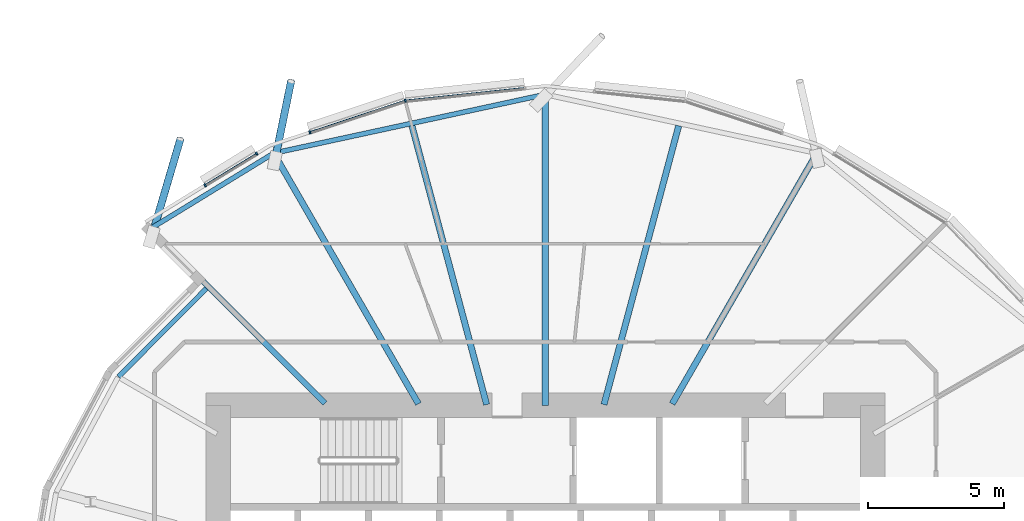
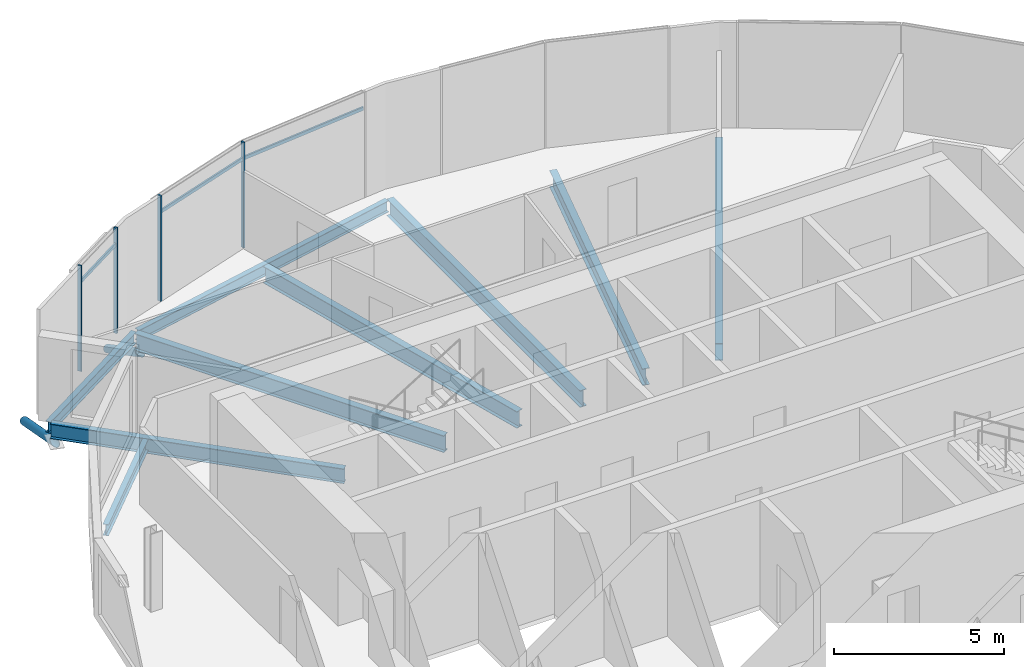
# One storey, part 10 of 36: 9 beams, 9 members, 1 element without a shape of its own.
"""IFC4 building model written with IfcOpenShell, lengths in metres."""

from ifc_helpers import new_model, si_unit, direction, frame, origin, origin_2d, place, context, subcontext, project, spatial, rectangle, hollow_circle, i_section, extrude, clip, halfspace, material, material_profile, profile_set, type_object, element, aggregate, save


model = new_model("IFC4")

# Units and contexts
model_context = context("Model", 3, precision=1e-05, world=origin(), true_north=direction((0.0, 1.0)))
body_context = subcontext(model_context, "Body", "Model", "MODEL_VIEW")
ifc_project = project(units=[si_unit("LENGTHUNIT", "METRE"), si_unit("AREAUNIT", "SQUARE_METRE"), si_unit("VOLUMEUNIT", "CUBIC_METRE"), si_unit("PLANEANGLEUNIT", "RADIAN"), si_unit("MASSUNIT", "GRAM", prefix="KILO")], contexts=[model_context])

# Site, building, storey
site_placement = place(None, origin())
site = spatial("IfcSite", under=ifc_project, at=site_placement, CompositionType="ELEMENT")
building_placement = place(site_placement, origin())
building = spatial("IfcBuilding", under=site, at=building_placement, Name="Rimbun Link Towers", CompositionType="ELEMENT")
storey_placement = place(building_placement, frame((0.0, 0.0, 37.60009765625)))
storey = spatial("IfcBuildingStorey", under=building, at=storey_placement, Name="L08", CompositionType="ELEMENT", Elevation=37.60009765625)

# Curtain wall, members
ifc_material_1 = material(Name="Aluminium 6063-T6 and low-iron glass", Category="aluminium")
curtain_wall_type = type_object("IfcCurtainWallType", Name="CW1 unitised vision wall", PredefinedType="NOTDEFINED", material=ifc_material_1)
curtain_wall_placement = place(storey_placement, origin())
curtain_wall = element("IfcCurtainWall", 1, at=curtain_wall_placement, inside=storey, type_object=curtain_wall_type, Name="CW1 L08 T1", PredefinedType="NOTDEFINED")
ifc_material_2 = material(Name="Aluminium 6063-T6", Category="aluminium")
ifc_material_profile_1 = material_profile(ifc_material_2, rectangle(XDim=0.1201171875, YDim=0.06005859375, at=origin_2d()), Name="MULLION 60X120")
ifc_profile_set_1 = profile_set([ifc_material_profile_1], Name="Aluminium 6063-T6")
member_type_1 = type_object("IfcMemberType", Name="CW1 mullion 60X120", PredefinedType="MULLION", material=ifc_profile_set_1)
member_1_placement = place(storey_placement, frame((-36.884521484375, 19.17333984375, 0.0), z_axis=(0.0, 0.0, 1.0), x_axis=(-0.210876994137, 0.97751260521, 0.0)))
member_1 = element("IfcMember", 2, at=member_1_placement, type_object=member_type_1, Name="CW1 mullion", PredefinedType="MULLION", context=body_context, shape_type="SweptSolid", body=[
    extrude(rectangle(XDim=0.1201171875, YDim=0.06005859375, at=origin_2d()), origin(), (0.0, 0.0, 1.0), 3.7998046875),
])
member_2_placement = place(storey_placement, frame((-40.383544921875, 18.01416015625, 0.0), z_axis=(0.0, 0.0, 1.0), x_axis=(-0.314563730837, 0.949236355837, 0.0)))
member_2 = element("IfcMember", 3, at=member_2_placement, type_object=member_type_1, Name="CW1 mullion", PredefinedType="MULLION", context=body_context, shape_type="SweptSolid", body=[
    extrude(rectangle(XDim=0.1201171875, YDim=0.06005859375, at=origin_2d()), origin(), (0.0, 0.0, 1.0), 3.7998046875),
])
member_3_placement = place(storey_placement, frame((-44.2265625, 16.072265625, 0.0), z_axis=(0.0, 0.0, 1.0), x_axis=(-0.523232417417, 0.85219002421, 0.0)))
member_3 = element("IfcMember", 4, at=member_3_placement, type_object=member_type_1, Name="CW1 mullion", PredefinedType="MULLION", context=body_context, shape_type="SweptSolid", body=[
    extrude(rectangle(XDim=0.1201171875, YDim=0.06005859375, at=origin_2d()), origin(), (0.0, 0.0, 1.0), 3.7998046875),
])
member_4_placement = place(storey_placement, frame((-42.336181640625, 17.23291015625, 0.0), z_axis=(0.0, 0.0, 1.0), x_axis=(-0.523232417417, 0.85219002421, 0.0)))
member_4 = element("IfcMember", 5, at=member_4_placement, type_object=member_type_1, Name="CW1 mullion", PredefinedType="MULLION", context=body_context, shape_type="SweptSolid", body=[
    extrude(rectangle(XDim=0.1201171875, YDim=0.06005859375, at=origin_2d()), origin(), (0.0, 0.0, 1.0), 3.7998046875),
])
ifc_material_3 = material(Name="Aluminium 6063-T6", Category="aluminium")
ifc_material_profile_2 = material_profile(ifc_material_3, rectangle(XDim=0.06005859375, YDim=0.1201171875, at=origin_2d()), Name="TRANSOM 60X120")
ifc_profile_set_2 = profile_set([ifc_material_profile_2], Name="Aluminium 6063-T6")
member_type_2 = type_object("IfcMemberType", Name="CW1 transom 60X120", PredefinedType="USERDEFINED", material=ifc_profile_set_2)
member_5_placement = place(storey_placement, frame((-36.84814453125, 19.175537109375, 3.199951171875), z_axis=(0.99449990358, 0.104737489845, 0.0), x_axis=(-0.104737489845, 0.99449990358, 0.0)))
member_5 = element("IfcMember", 6, at=member_5_placement, type_object=member_type_2, Name="CW1 transom", ObjectType="TRANSOM", PredefinedType="USERDEFINED", context=body_context, shape_type="SweptSolid", body=[
    extrude(rectangle(XDim=0.06005859375, YDim=0.1201171875, at=origin_2d()), origin(), (0.0, 0.0, 1.0), 4.34033203125),
])
member_6_placement = place(storey_placement, frame((-40.3544921875, 18.021728515625, 3.199951171875), z_axis=(0.949234904312, 0.314568110964, 0.0), x_axis=(-0.314568110964, 0.949234904312, 0.0)))
member_6 = element("IfcMember", 7, at=member_6_placement, type_object=member_type_2, Name="CW1 transom", ObjectType="TRANSOM", PredefinedType="USERDEFINED", context=body_context, shape_type="SweptSolid", body=[
    extrude(rectangle(XDim=0.06005859375, YDim=0.1201171875, at=origin_2d()), origin(), (0.0, 0.0, 1.0), 3.619873046875),
])
member_7_placement = place(storey_placement, frame((-44.199951171875, 16.08642578125, 3.199951171875), z_axis=(0.852228740187, 0.523169355371, 0.0), x_axis=(-0.523169355371, 0.852228740187, 0.0)))
member_7 = element("IfcMember", 8, at=member_7_placement, type_object=member_type_2, Name="CW1 transom", ObjectType="TRANSOM", PredefinedType="USERDEFINED", context=body_context, shape_type="SweptSolid", body=[
    extrude(rectangle(XDim=0.06005859375, YDim=0.1201171875, at=origin_2d()), origin(), (0.0, 0.0, 1.0), 2.158203125),
])
aggregate(curtain_wall, [member_1, member_2, member_3, member_4, member_5, member_6, member_7])

# Members
ifc_material_4 = material(Name="Steel S355J2H", Category="steel")
ifc_material_profile_3 = material_profile(ifc_material_4, hollow_circle(Radius=0.136474609375, WallThickness=0.012451171875, at=origin_2d()), Name="CHS 273x12.5")
ifc_profile_set_3 = profile_set([ifc_material_profile_3], Name="Steel S355J2H")
member_type_3 = type_object("IfcMemberType", Name="Floor edge link CHS 273x12.5", PredefinedType="BRACE", material=ifc_profile_set_3)
member_8_placement = place(storey_placement, frame((-41.638427734375, 17.127197265625, -0.87890625), z_axis=(0.171200978339, 0.833290807405, -0.525658306612), x_axis=(-0.979540285831, 0.201248176226, 0.0)))
element("IfcMember", 9, at=member_8_placement, inside=storey, type_object=member_type_3, Name="Floor edge link T1 L08 08", PredefinedType="BRACE", context=body_context, shape_type="Clipping", body=[
    clip(extrude(hollow_circle(Radius=0.136474609375, WallThickness=0.012451171875, at=origin_2d()), frame((0.0, 0.0, -0.460693359375)), (0.0, 0.0, 1.0), 3.781982421875), halfspace(frame((0.0, 0.0, -0.21728515625), z_axis=(0.0, 0.850695800325, -0.525658306612)), False)),
])
member_9_placement = place(storey_placement, frame((-46.12841796875, 14.37841796875, -0.816650390625), z_axis=(0.254349102466, 0.864228621087, -0.434068456087), x_axis=(-0.959316143132, 0.282334088496, 0.0)))
element("IfcMember", 10, at=member_9_placement, inside=storey, type_object=member_type_3, Name="Floor edge link T1 L08 09", PredefinedType="BRACE", context=body_context, shape_type="Clipping", body=[
    clip(extrude(hollow_circle(Radius=0.136474609375, WallThickness=0.012451171875, at=origin_2d()), frame((0.0, 0.0, -0.589599609375)), (0.0, 0.0, 1.0), 4.525146484375), halfspace(frame((0.0, 0.0, -0.27978515625), z_axis=(0.0, 0.900879889569, -0.434068456087)), False)),
])

# Beams
ifc_material_5 = material(Name="Steel S355J2", Category="steel")
ifc_material_profile_4 = material_profile(ifc_material_5, i_section(OverallWidth=0.177978515625, OverallDepth=0.406494140625, WebThickness=0.0078125, FlangeThickness=0.0126953125, at=origin_2d()), Name="UB 406x178x60")
ifc_profile_set_4 = profile_set([ifc_material_profile_4], Name="Steel S355J2")
beam_type_1 = type_object("IfcBeamType", Name="UB 406x178x60", PredefinedType="BEAM", material=ifc_profile_set_4)
beam_1_placement = place(storey_placement, frame((-31.86474609375, 19.3779296875, -0.36328125), z_axis=(-0.977391971445, -0.211435413673, 0.0), x_axis=(0.211435413673, -0.977391971445, 0.0)))
element("IfcBeam", 11, at=beam_1_placement, inside=storey, type_object=beam_type_1, Name="Edge beam T1 L08 06-08", PredefinedType="BEAM", context=body_context, shape_type="SweptSolid", body=[
    extrude(i_section(OverallWidth=0.177978515625, OverallDepth=0.406494140625, WebThickness=0.0078125, FlangeThickness=0.0126953125, at=origin_2d()), origin(), (0.0, 0.0, 1.0), 9.950927734375),
])
beam_2_placement = place(storey_placement, frame((-41.709228515625, 17.248046875, -0.36328125), z_axis=(-0.852700549425, -0.522400012452, 0.0), x_axis=(0.522400012452, -0.852700549425, 0.0)))
element("IfcBeam", 12, at=beam_2_placement, inside=storey, type_object=beam_type_1, Name="Edge beam T1 L08 08", PredefinedType="BEAM", context=body_context, shape_type="SweptSolid", body=[
    extrude(i_section(OverallWidth=0.177978515625, OverallDepth=0.406494140625, WebThickness=0.0078125, FlangeThickness=0.0126953125, at=origin_2d()), origin(), (0.0, 0.0, 1.0), 5.2998046875),
])
beam_3_placement = place(storey_placement, frame((-44.181640625, 12.281982421875, -0.36328125), z_axis=(-0.706223049381, -0.707989409895, 0.0), x_axis=(0.707989409895, -0.706223049381, 0.0)))
element("IfcBeam", 13, at=beam_3_placement, inside=storey, type_object=beam_type_1, Name="Edge beam T1 L08 09 recess", PredefinedType="BEAM", context=body_context, shape_type="SweptSolid", body=[
    extrude(i_section(OverallWidth=0.177978515625, OverallDepth=0.406494140625, WebThickness=0.0078125, FlangeThickness=0.0126953125, at=origin_2d()), origin(), (0.0, 0.0, 1.0), 4.56103515625),
])
ifc_material_6 = material(Name="Steel S355J2", Category="steel")
ifc_material_profile_5 = material_profile(ifc_material_6, i_section(OverallWidth=0.209228515625, OverallDepth=0.533203125, WebThickness=0.010009765625, FlangeThickness=0.015625, at=origin_2d()), Name="UB 533x210x92")
ifc_profile_set_5 = profile_set([ifc_material_profile_5], Name="Steel S355J2")
beam_type_2 = type_object("IfcBeamType", Name="UB 533x210x92", PredefinedType="BEAM", material=ifc_profile_set_5)
beam_4_placement = place(storey_placement, frame((-39.82470703125, 8.07470703125, -0.426513671875), z_axis=(-0.707106781187, 0.707106781187, 0.0), x_axis=(-0.707106781187, -0.707106781187, 0.0)))
element("IfcBeam", 14, at=beam_4_placement, inside=storey, type_object=beam_type_2, Name="Radial beam T1 L08 09", PredefinedType="BEAM", context=body_context, shape_type="SweptSolid", body=[
    extrude(i_section(OverallWidth=0.209228515625, OverallDepth=0.533203125, WebThickness=0.010009765625, FlangeThickness=0.015625, at=origin_2d()), origin(), (0.0, 0.0, 1.0), 8.964599609375),
])
ifc_material_7 = material(Name="Steel S355J2", Category="steel")
ifc_material_profile_6 = material_profile(ifc_material_7, i_section(OverallWidth=0.2275390625, OverallDepth=0.6025390625, WebThickness=0.010498046875, FlangeThickness=0.014892578125, at=origin_2d()), Name="UB 610x229x101")
ifc_profile_set_6 = profile_set([ifc_material_profile_6], Name="Steel S355J2")
beam_type_3 = type_object("IfcBeamType", Name="UB 610x229x101", PredefinedType="BEAM", material=ifc_profile_set_6)
beam_5_placement = place(storey_placement, frame((-27.097900390625, 8.057861328125, -0.46142578125), z_axis=(0.500011199594, 0.866018937599, 0.0), x_axis=(-0.866018937599, 0.500011199594, 0.0)))
element("IfcBeam", 15, at=beam_5_placement, inside=storey, type_object=beam_type_3, Name="Radial beam T1 L08 04", PredefinedType="BEAM", context=body_context, shape_type="SweptSolid", body=[
    extrude(i_section(OverallWidth=0.2275390625, OverallDepth=0.6025390625, WebThickness=0.010498046875, FlangeThickness=0.014892578125, at=origin_2d()), origin(), (0.0, 0.0, 1.0), 10.612548828125),
])
beam_6_placement = place(storey_placement, frame((-29.598388671875, 8.030517578125, -0.46142578125), z_axis=(0.258839865624, 0.965920247207, 0.0), x_axis=(-0.965920247207, 0.258839865624, 0.0)))
element("IfcBeam", 16, at=beam_6_placement, inside=storey, type_object=beam_type_3, Name="Radial beam T1 L08 05", PredefinedType="BEAM", context=body_context, shape_type="SweptSolid", body=[
    extrude(i_section(OverallWidth=0.2275390625, OverallDepth=0.6025390625, WebThickness=0.010498046875, FlangeThickness=0.014892578125, at=origin_2d()), origin(), (0.0, 0.0, 1.0), 10.582763671875),
])
beam_7_placement = place(storey_placement, frame((-31.75, 8.0009765625, -0.46142578125), z_axis=(0.0, 1.0, 0.0), x_axis=(-1.0, 0.0, 0.0)))
element("IfcBeam", 17, at=beam_7_placement, inside=storey, type_object=beam_type_3, Name="Radial beam T1 L08 06", PredefinedType="BEAM", context=body_context, shape_type="SweptSolid", body=[
    extrude(i_section(OverallWidth=0.2275390625, OverallDepth=0.6025390625, WebThickness=0.010498046875, FlangeThickness=0.014892578125, at=origin_2d()), origin(), (0.0, 0.0, 1.0), 11.40185546875),
])
beam_8_placement = place(storey_placement, frame((-33.901611328125, 8.030517578125, -0.46142578125), z_axis=(-0.258839865624, 0.965920247207, 0.0), x_axis=(-0.965920247207, -0.258839865624, 0.0)))
element("IfcBeam", 18, at=beam_8_placement, inside=storey, type_object=beam_type_3, Name="Radial beam T1 L08 07", PredefinedType="BEAM", context=body_context, shape_type="SweptSolid", body=[
    extrude(i_section(OverallWidth=0.2275390625, OverallDepth=0.6025390625, WebThickness=0.010498046875, FlangeThickness=0.014892578125, at=origin_2d()), origin(), (0.0, 0.0, 1.0), 10.582763671875),
])
beam_9_placement = place(storey_placement, frame((-36.402099609375, 8.057861328125, -0.46142578125), z_axis=(-0.500014335853, 0.866017126818, 0.0), x_axis=(-0.866017126818, -0.500014335853, 0.0)))
element("IfcBeam", 19, at=beam_9_placement, inside=storey, type_object=beam_type_3, Name="Radial beam T1 L08 08", PredefinedType="BEAM", context=body_context, shape_type="SweptSolid", body=[
    extrude(i_section(OverallWidth=0.2275390625, OverallDepth=0.6025390625, WebThickness=0.010498046875, FlangeThickness=0.014892578125, at=origin_2d()), origin(), (0.0, 0.0, 1.0), 10.522705078125),
])

save(model, "model.ifc")
